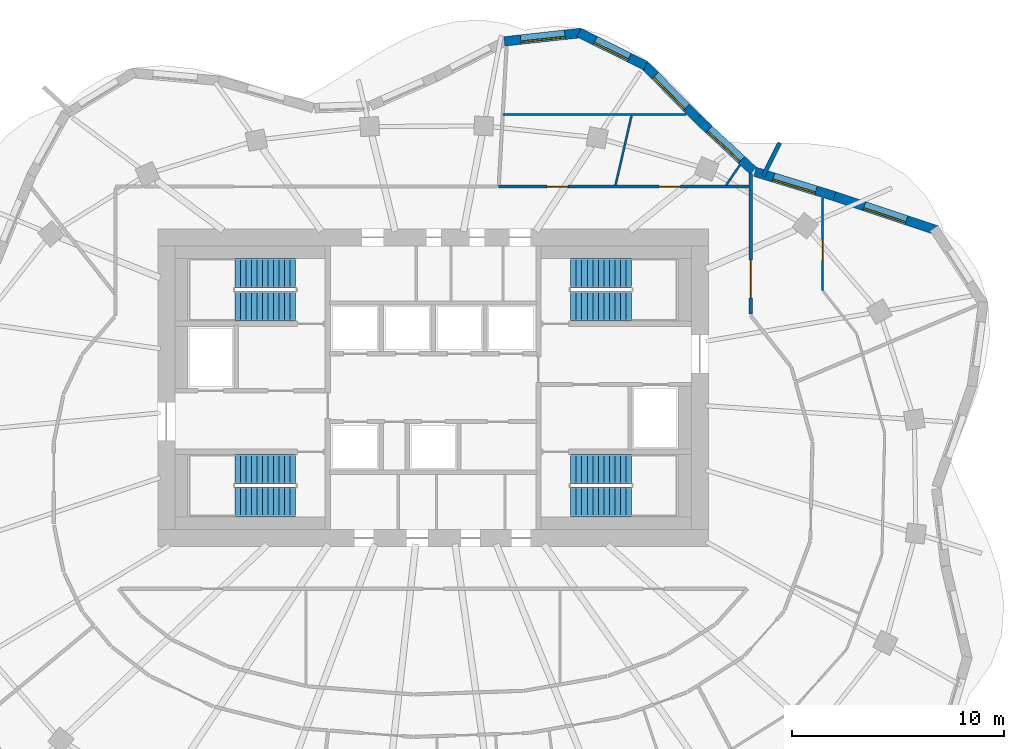
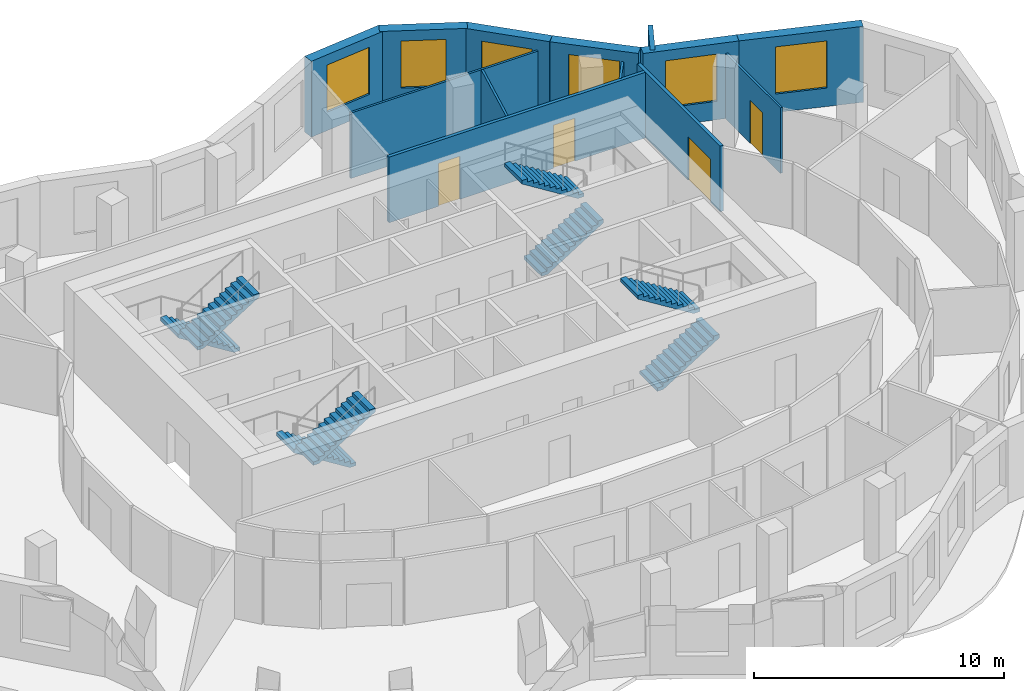
# One storey, part 8 of 9: 13 walls, 8 stair flights, 6 windows, 4 doors, 10 openings, 4 elements without a shape of their own.
"""IFC4 building model written with IfcOpenShell, lengths in metres."""

from ifc_helpers import new_model, si_unit, direction, frame, frame_2d, origin, place, context, subcontext, project, spatial, polyline, rectangle, outline, extrude, material, layer, layer_set, type_object, element, fill, aggregate, save


model = new_model("IFC4")

# Units and contexts
model_context = context("Model", 3, precision=1e-05, world=origin(), true_north=direction((0.0, 1.0)))
body_context = subcontext(model_context, "Body", "Model", "MODEL_VIEW")
ifc_project = project(units=[si_unit("LENGTHUNIT", "METRE"), si_unit("AREAUNIT", "SQUARE_METRE"), si_unit("VOLUMEUNIT", "CUBIC_METRE"), si_unit("PLANEANGLEUNIT", "RADIAN"), si_unit("MASSUNIT", "GRAM", prefix="KILO")], contexts=[model_context])

# Site, building, storey
site_placement = place(None, origin())
site = spatial("IfcSite", under=ifc_project, at=site_placement, CompositionType="ELEMENT")
building_placement = place(site_placement, origin())
building = spatial("IfcBuilding", under=site, at=building_placement, Name="Rubra Terraces Tower", CompositionType="ELEMENT")
storey_placement = place(building_placement, frame((0.0, 0.0, 284.39990234375)))
storey = spatial("IfcBuildingStorey", under=building, at=storey_placement, Name="L70", CompositionType="ELEMENT", Elevation=284.39990234375)

# Wall, opening, window
ifc_material_1 = material(Name="Brick masonry red-brown", Category="masonry")
ifc_layer_1 = layer(ifc_material_1, 0.449951171875)
ifc_layer_set_1 = layer_set([ifc_layer_1], Name="Brick masonry red-brown")
wall_type_1 = type_object("IfcWallType", Name="Brick facade wall 450", PredefinedType="SOLIDWALL", material=ifc_layer_set_1)
wall_1_placement = place(storey_placement, frame((23.769775390625, 11.93798828125, 0.0), z_axis=(0.0, 0.0, 1.0), x_axis=(-0.948673679101, 0.316256621402, 0.0)))
wall_1 = element("IfcWall", 1, at=wall_1_placement, inside=storey, type_object=wall_type_1, Name="Facade wall L70 bay 4", PredefinedType="SOLIDWALL", context=body_context, shape_type="SweptSolid", body=[
    extrude(rectangle(XDim=5.076416015625, YDim=0.449951171875, at=frame_2d((2.5380859375, 0.0))), origin(), (0.0, 0.0, 1.0), 3.7001953125),
])
opening_1_placement = place(wall_1_placement, frame((1.48828125, 0.0, 0.89990234375)))
opening_1 = element("IfcOpeningElement", 2, at=opening_1_placement, cuts=wall_1, Name="Opening W1B", PredefinedType="OPENING", context=body_context, shape_type="SweptSolid", body=[
    extrude(rectangle(XDim=2.10009765625, YDim=2.300048828125, at=frame_2d((1.050048828125, 1.14990234375))), frame((0.0, 0.23486328125, 0.0), z_axis=(0.0, -1.0, 0.0), x_axis=(1.0, 0.0, 0.0)), (0.0, 0.0, 1.0), 0.469970703125),
])
ifc_material_2 = material(Name="Clear glass in aluminium frame", Category="aluminium")
window_type_1 = type_object("IfcWindowType", Name="Fixed deep-set window tall storey 2100 x 2300", PartitioningType="SINGLE_PANEL", PredefinedType="WINDOW", material=ifc_material_2)
window_1_placement = place(opening_1_placement, origin())
window_1 = element("IfcWindow", 3, at=window_1_placement, inside=storey, type_object=window_type_1, Name="Window L70 bay 4", OverallHeight=2.300048828125, OverallWidth=2.10009765625, PartitioningType="SINGLE_PANEL", PredefinedType="WINDOW", context=body_context, shape_type="SweptSolid", body=[
    extrude(rectangle(XDim=2.10009765625, YDim=2.300048828125, at=frame_2d((1.050048828125, 1.14990234375))), frame((0.0, 0.135009765625, 0.0), z_axis=(0.0, -1.0, 0.0), x_axis=(1.0, 0.0, 0.0)), (0.0, 0.0, 1.0), 0.06005859375),
])
fill(opening_1, window_1)

wall_2_placement = place(storey_placement, frame((18.95751953125, 13.542236328125, 0.0), z_axis=(0.0, 0.0, 1.0), x_axis=(-0.955792437529, 0.294042201668, 0.0)))
wall_2 = element("IfcWall", 4, at=wall_2_placement, inside=storey, type_object=wall_type_1, Name="Facade wall L70 bay 5", PredefinedType="SOLIDWALL", context=body_context, shape_type="SweptSolid", body=[
    extrude(rectangle(XDim=3.9306640625, YDim=0.449951171875, at=frame_2d((1.96533203125, 0.0))), origin(), (0.0, 0.0, 1.0), 3.7001953125),
])
opening_2_placement = place(wall_2_placement, frame((0.915283203125, 0.0, 0.89990234375)))
opening_2 = element("IfcOpeningElement", 5, at=opening_2_placement, cuts=wall_2, Name="Opening W1B", PredefinedType="OPENING", context=body_context, shape_type="SweptSolid", body=[
    extrude(rectangle(XDim=2.10009765625, YDim=2.300048828125, at=frame_2d((1.050048828125, 1.14990234375))), frame((0.0, 0.23486328125, 0.0), z_axis=(0.0, -1.0, 0.0), x_axis=(1.0, 0.0, 0.0)), (0.0, 0.0, 1.0), 0.469970703125),
])
window_2_placement = place(opening_2_placement, origin())
window_2 = element("IfcWindow", 6, at=window_2_placement, inside=storey, type_object=window_type_1, Name="Window L70 bay 5", OverallHeight=2.300048828125, OverallWidth=2.10009765625, PartitioningType="SINGLE_PANEL", PredefinedType="WINDOW", context=body_context, shape_type="SweptSolid", body=[
    extrude(rectangle(XDim=2.10009765625, YDim=2.300048828125, at=frame_2d((1.050048828125, 1.14990234375))), frame((0.0, 0.135009765625, 0.0), z_axis=(0.0, -1.0, 0.0), x_axis=(1.0, 0.0, 0.0)), (0.0, 0.0, 1.0), 0.06005859375),
])
fill(opening_2, window_2)

wall_3_placement = place(storey_placement, frame((15.120849609375, 14.744873046875, 0.0), z_axis=(0.0, 0.0, 1.0), x_axis=(-0.730618259172, 0.68278617397, 0.0)))
wall_3 = element("IfcWall", 7, at=wall_3_placement, inside=storey, type_object=wall_type_1, Name="Facade wall L70 bay 6", PredefinedType="SOLIDWALL", context=body_context, shape_type="SweptSolid", body=[
    extrude(rectangle(XDim=3.6240234375, YDim=0.449951171875, at=frame_2d((1.81201171875, 0.0))), origin(), (0.0, 0.0, 1.0), 3.7001953125),
])
opening_3_placement = place(wall_3_placement, frame((0.76220703125, 0.0, 0.89990234375)))
opening_3 = element("IfcOpeningElement", 8, at=opening_3_placement, cuts=wall_3, Name="Opening W1B", PredefinedType="OPENING", context=body_context, shape_type="SweptSolid", body=[
    extrude(rectangle(XDim=2.10009765625, YDim=2.300048828125, at=frame_2d((1.050048828125, 1.14990234375))), frame((0.0, 0.23486328125, 0.0), z_axis=(0.0, -1.0, 0.0), x_axis=(1.0, 0.0, 0.0)), (0.0, 0.0, 1.0), 0.469970703125),
])
window_3_placement = place(opening_3_placement, origin())
window_3 = element("IfcWindow", 9, at=window_3_placement, inside=storey, type_object=window_type_1, Name="Window L70 bay 6", OverallHeight=2.300048828125, OverallWidth=2.10009765625, PartitioningType="SINGLE_PANEL", PredefinedType="WINDOW", context=body_context, shape_type="SweptSolid", body=[
    extrude(rectangle(XDim=2.10009765625, YDim=2.300048828125, at=frame_2d((1.050048828125, 1.14990234375))), frame((0.0, 0.135009765625, 0.0), z_axis=(0.0, -1.0, 0.0), x_axis=(1.0, 0.0, 0.0)), (0.0, 0.0, 1.0), 0.06005859375),
])
fill(opening_3, window_3)

wall_4_placement = place(storey_placement, frame((12.46630859375, 17.2255859375, 0.0), z_axis=(0.0, 0.0, 1.0), x_axis=(-0.701875966769, 0.712299183821, 0.0)))
wall_4 = element("IfcWall", 10, at=wall_4_placement, inside=storey, type_object=wall_type_1, Name="Facade wall L70 bay 7", PredefinedType="SOLIDWALL", context=body_context, shape_type="SweptSolid", body=[
    extrude(rectangle(XDim=3.536865234375, YDim=0.449951171875, at=frame_2d((1.7685546875, 0.0))), origin(), (0.0, 0.0, 1.0), 3.7001953125),
])
opening_4_placement = place(wall_4_placement, frame((0.71826171875, 0.0, 0.89990234375)))
opening_4 = element("IfcOpeningElement", 11, at=opening_4_placement, cuts=wall_4, Name="Opening W1B", PredefinedType="OPENING", context=body_context, shape_type="SweptSolid", body=[
    extrude(rectangle(XDim=2.10009765625, YDim=2.300048828125, at=frame_2d((1.050048828125, 1.14990234375))), frame((0.0, 0.23486328125, 0.0), z_axis=(0.0, -1.0, 0.0), x_axis=(1.0, 0.0, 0.0)), (0.0, 0.0, 1.0), 0.469970703125),
])
window_4_placement = place(opening_4_placement, origin())
window_4 = element("IfcWindow", 12, at=window_4_placement, inside=storey, type_object=window_type_1, Name="Window L70 bay 7", OverallHeight=2.300048828125, OverallWidth=2.10009765625, PartitioningType="SINGLE_PANEL", PredefinedType="WINDOW", context=body_context, shape_type="SweptSolid", body=[
    extrude(rectangle(XDim=2.10009765625, YDim=2.300048828125, at=frame_2d((1.050048828125, 1.14990234375))), frame((0.0, 0.135009765625, 0.0), z_axis=(0.0, -1.0, 0.0), x_axis=(1.0, 0.0, 0.0)), (0.0, 0.0, 1.0), 0.06005859375),
])
fill(opening_4, window_4)

wall_5_placement = place(storey_placement, frame((10.041748046875, 19.70361328125, 0.0), z_axis=(0.0, 0.0, 1.0), x_axis=(-0.895268695224, 0.445526613517, 0.0)))
wall_5 = element("IfcWall", 13, at=wall_5_placement, inside=storey, type_object=wall_type_1, Name="Facade wall L70 bay 8", PredefinedType="SOLIDWALL", context=body_context, shape_type="SweptSolid", body=[
    extrude(rectangle(XDim=3.532958984375, YDim=0.449951171875, at=frame_2d((1.7666015625, 0.0))), origin(), (0.0, 0.0, 1.0), 3.7001953125),
])
opening_5_placement = place(wall_5_placement, frame((0.866455078125, 0.0, 0.89990234375)))
opening_5 = element("IfcOpeningElement", 14, at=opening_5_placement, cuts=wall_5, Name="Opening W6B", PredefinedType="OPENING", context=body_context, shape_type="SweptSolid", body=[
    extrude(rectangle(XDim=1.800048828125, YDim=2.300048828125, at=frame_2d((0.89990234375, 1.14990234375))), frame((0.0, 0.23486328125, 0.0), z_axis=(0.0, -1.0, 0.0), x_axis=(1.0, 0.0, 0.0)), (0.0, 0.0, 1.0), 0.469970703125),
])
window_type_2 = type_object("IfcWindowType", Name="Fixed deep-set window at wind fin tall storey 1800 x 2300", PartitioningType="SINGLE_PANEL", PredefinedType="WINDOW", material=ifc_material_2)
window_5_placement = place(opening_5_placement, origin())
window_5 = element("IfcWindow", 15, at=window_5_placement, inside=storey, type_object=window_type_2, Name="Window L70 bay 8", OverallHeight=2.300048828125, OverallWidth=1.800048828125, PartitioningType="SINGLE_PANEL", PredefinedType="WINDOW", context=body_context, shape_type="SweptSolid", body=[
    extrude(rectangle(XDim=1.800048828125, YDim=2.300048828125, at=frame_2d((0.89990234375, 1.14990234375))), frame((0.0, 0.135009765625, 0.0), z_axis=(0.0, -1.0, 0.0), x_axis=(1.0, 0.0, 0.0)), (0.0, 0.0, 1.0), 0.06005859375),
])
fill(opening_5, window_5)

wall_6_placement = place(storey_placement, frame((7.00341796875, 21.25537109375, 0.0), z_axis=(0.0, 0.0, 1.0), x_axis=(-0.99407653264, -0.108682322638, 0.0)))
wall_6 = element("IfcWall", 16, at=wall_6_placement, inside=storey, type_object=wall_type_1, Name="Facade wall L70 bay 9", PredefinedType="SOLIDWALL", context=body_context, shape_type="SweptSolid", body=[
    extrude(rectangle(XDim=3.66162109375, YDim=0.449951171875, at=frame_2d((1.830810546875, 0.0))), origin(), (0.0, 0.0, 1.0), 3.7001953125),
])
opening_6_placement = place(wall_6_placement, frame((0.78076171875, 0.0, 0.89990234375)))
opening_6 = element("IfcOpeningElement", 17, at=opening_6_placement, cuts=wall_6, Name="Opening W1B", PredefinedType="OPENING", context=body_context, shape_type="SweptSolid", body=[
    extrude(rectangle(XDim=2.10009765625, YDim=2.300048828125, at=frame_2d((1.050048828125, 1.14990234375))), frame((0.0, 0.23486328125, 0.0), z_axis=(0.0, -1.0, 0.0), x_axis=(1.0, 0.0, 0.0)), (0.0, 0.0, 1.0), 0.469970703125),
])
window_6_placement = place(opening_6_placement, origin())
window_6 = element("IfcWindow", 18, at=window_6_placement, inside=storey, type_object=window_type_1, Name="Window L70 bay 9", OverallHeight=2.300048828125, OverallWidth=2.10009765625, PartitioningType="SINGLE_PANEL", PredefinedType="WINDOW", context=body_context, shape_type="SweptSolid", body=[
    extrude(rectangle(XDim=2.10009765625, YDim=2.300048828125, at=frame_2d((1.050048828125, 1.14990234375))), frame((0.0, 0.135009765625, 0.0), z_axis=(0.0, -1.0, 0.0), x_axis=(1.0, 0.0, 0.0)), (0.0, 0.0, 1.0), 0.06005859375),
])
fill(opening_6, window_6)

# Wall
ifc_layer_2 = layer(ifc_material_1, 0.199951171875)
ifc_layer_set_2 = layer_set([ifc_layer_2], Name="Brick masonry red-brown")
wall_type_2 = type_object("IfcWallType", Name="Brick wind fin 200", PredefinedType="SOLIDWALL", material=ifc_layer_set_2)
wall_7_placement = place(storey_placement, frame((15.5869140625, 14.507080078125, 0.0), z_axis=(0.0, 0.0, 1.0), x_axis=(0.452117231361, 0.89195852432, 0.0)))
element("IfcWall", 19, at=wall_7_placement, inside=storey, type_object=wall_type_2, Name="Wind fin L70 3", PredefinedType="SOLIDWALL", context=body_context, shape_type="SweptSolid", body=[
    extrude(rectangle(XDim=1.75, YDim=0.199951171875, at=frame_2d((0.875, 0.0))), origin(), (0.0, 0.0, 1.0), 3.7001953125),
])

# Wall, opening, door
ifc_material_3 = material(Name="Plasterboard on steel stud, mineral wool infill", Category="steel")
ifc_layer_3 = layer(ifc_material_3, 0.14990234375)
ifc_layer_set_3 = layer_set([ifc_layer_3], Name="Plasterboard on steel stud, mineral wool infill")
wall_type_3 = type_object("IfcWallType", Name="CORRIDOR PARTITION 150", PredefinedType="PARTITIONING", material=ifc_layer_set_3)
wall_8_placement = place(storey_placement, frame((15.0, 7.979248046875, 0.0), z_axis=(0.0, 0.0, 1.0), x_axis=(0.0, 1.0, 0.0)))
wall_8 = element("IfcWall", 20, at=wall_8_placement, inside=storey, type_object=wall_type_3, Name="PARTITION", PredefinedType="PARTITIONING", context=body_context, shape_type="SweptSolid", body=[
    extrude(rectangle(XDim=6.626220703125, YDim=0.14990234375, at=frame_2d((3.31298828125, 0.0))), origin(), (0.0, 0.0, 1.0), 3.197998046875),
])
opening_7_placement = place(wall_8_placement, frame((0.759033203125, 0.0, 0.0)))
opening_7 = element("IfcOpeningElement", 21, at=opening_7_placement, cuts=wall_8, Name="Opening 70-111", PredefinedType="OPENING", context=body_context, shape_type="SweptSolid", body=[
    extrude(rectangle(XDim=1.800048828125, YDim=2.10009765625, at=frame_2d((0.89990234375, 1.050048828125))), frame((0.0, 0.0849609375, 0.0), z_axis=(0.0, -1.0, 0.0), x_axis=(1.0, 0.0, 0.0)), (0.0, 0.0, 1.0), 0.169921875),
])
ifc_material_4 = material(Name="Painted timber door leaf, double", Category="wood")
door_type_1 = type_object("IfcDoorType", Name="ROOM DOUBLE DOOR 1800 X 2100", OperationType="DOUBLE_DOOR_SINGLE_SWING", PredefinedType="DOOR", material=ifc_material_4)
door_1_placement = place(opening_7_placement, origin())
door_1 = element("IfcDoor", 22, at=door_1_placement, inside=storey, type_object=door_type_1, Name="DOOR 70-111", OperationType="DOUBLE_DOOR_SINGLE_SWING", OverallHeight=2.10009765625, OverallWidth=1.800048828125, PredefinedType="DOOR", context=body_context, shape_type="SweptSolid", body=[
    extrude(rectangle(XDim=1.800048828125, YDim=2.10009765625, at=frame_2d((0.89990234375, 1.050048828125))), frame((0.0, 0.02490234375, 0.0), z_axis=(0.0, -1.0, 0.0), x_axis=(1.0, 0.0, 0.0)), (0.0, 0.0, 1.0), 0.050048828125),
])
fill(opening_7, door_1)

# Wall, openings, doors
wall_9_placement = place(storey_placement, frame((14.925048828125, 14.0, 0.0), z_axis=(0.0, 0.0, 1.0), x_axis=(-1.0, 0.0, 0.0)))
wall_9 = element("IfcWall", 23, at=wall_9_placement, inside=storey, type_object=wall_type_3, Name="PARTITION", PredefinedType="PARTITIONING", context=body_context, shape_type="SweptSolid", body=[
    extrude(rectangle(XDim=11.8271484375, YDim=0.14990234375, at=frame_2d((5.91357421875, 0.0))), origin(), (0.0, 0.0, 1.0), 3.197998046875),
])
opening_8_placement = place(wall_9_placement, frame((3.25, 0.0, 0.0)))
opening_8 = element("IfcOpeningElement", 24, at=opening_8_placement, cuts=wall_9, Name="Opening 70-120", PredefinedType="OPENING", context=body_context, shape_type="SweptSolid", body=[
    extrude(rectangle(XDim=1.0, YDim=2.10009765625, at=frame_2d((0.5, 1.050048828125))), frame((0.0, 0.0849609375, 0.0), z_axis=(0.0, -1.0, 0.0), x_axis=(1.0, 0.0, 0.0)), (0.0, 0.0, 1.0), 0.169921875),
])
opening_9_placement = place(wall_9_placement, frame((8.550048828125, 0.0, 0.0)))
opening_9 = element("IfcOpeningElement", 25, at=opening_9_placement, cuts=wall_9, Name="Opening 70-121", PredefinedType="OPENING", context=body_context, shape_type="SweptSolid", body=[
    extrude(rectangle(XDim=1.0, YDim=2.10009765625, at=frame_2d((0.5, 1.050048828125))), frame((0.0, 0.0849609375, 0.0), z_axis=(0.0, -1.0, 0.0), x_axis=(1.0, 0.0, 0.0)), (0.0, 0.0, 1.0), 0.169921875),
])
ifc_material_5 = material(Name="Painted timber door leaf", Category="wood")
door_type_2 = type_object("IfcDoorType", Name="ROOM DOOR 1000 X 2100", OperationType="SINGLE_SWING_LEFT", PredefinedType="DOOR", material=ifc_material_5)
door_2_placement = place(opening_8_placement, origin())
door_2 = element("IfcDoor", 26, at=door_2_placement, inside=storey, type_object=door_type_2, Name="DOOR 70-120", OperationType="SINGLE_SWING_RIGHT", OverallHeight=2.10009765625, OverallWidth=1.0, PredefinedType="DOOR", context=body_context, shape_type="SweptSolid", body=[
    extrude(rectangle(XDim=1.0, YDim=2.10009765625, at=frame_2d((0.5, 1.050048828125))), frame((0.0, 0.02490234375, 0.0), z_axis=(0.0, -1.0, 0.0), x_axis=(1.0, 0.0, 0.0)), (0.0, 0.0, 1.0), 0.050048828125),
])
fill(opening_8, door_2)
door_3_placement = place(opening_9_placement, origin())
door_3 = element("IfcDoor", 27, at=door_3_placement, inside=storey, type_object=door_type_2, Name="DOOR 70-121", OperationType="SINGLE_SWING_RIGHT", OverallHeight=2.10009765625, OverallWidth=1.0, PredefinedType="DOOR", context=body_context, shape_type="SweptSolid", body=[
    extrude(rectangle(XDim=1.0, YDim=2.10009765625, at=frame_2d((0.5, 1.050048828125))), frame((0.0, 0.02490234375, 0.0), z_axis=(0.0, -1.0, 0.0), x_axis=(1.0, 0.0, 0.0)), (0.0, 0.0, 1.0), 0.050048828125),
])
fill(opening_9, door_3)

# Wall
ifc_material_6 = material(Name="Plasterboard on steel stud", Category="steel")
ifc_layer_4 = layer(ifc_material_6, 0.10009765625)
ifc_layer_set_4 = layer_set([ifc_layer_4], Name="Plasterboard on steel stud")
wall_type_4 = type_object("IfcWallType", Name="ROOM PARTITION 100", PredefinedType="PARTITIONING", material=ifc_layer_set_4)
wall_10_placement = place(storey_placement, frame((3.30859375, 17.39990234375, 0.0), z_axis=(0.0, 0.0, 1.0), x_axis=(1.0, 0.0, 0.0)))
element("IfcWall", 28, at=wall_10_placement, inside=storey, type_object=wall_type_4, Name="PARTITION", PredefinedType="PARTITIONING", context=body_context, shape_type="SweptSolid", body=[
    extrude(rectangle(XDim=8.64208984375, YDim=0.10009765625, at=frame_2d((4.321044921875, 0.0))), origin(), (0.0, 0.0, 1.0), 3.197998046875),
])

# Wall, opening, door
wall_11_placement = place(storey_placement, frame((18.39990234375, 13.45751953125, 0.0), z_axis=(0.0, 0.0, 1.0), x_axis=(0.0, -1.0, 0.0)))
wall_11 = element("IfcWall", 29, at=wall_11_placement, inside=storey, type_object=wall_type_4, Name="PARTITION", PredefinedType="PARTITIONING", context=body_context, shape_type="SweptSolid", body=[
    extrude(rectangle(XDim=4.371826171875, YDim=0.10009765625, at=frame_2d((2.18603515625, 0.0))), origin(), (0.0, 0.0, 1.0), 3.197998046875),
])
opening_10_placement = place(wall_11_placement, frame((1.949951171875, 0.0, 0.0)))
opening_10 = element("IfcOpeningElement", 30, at=opening_10_placement, cuts=wall_11, Name="Opening 70-119", PredefinedType="OPENING", context=body_context, shape_type="SweptSolid", body=[
    extrude(rectangle(XDim=1.0, YDim=2.10009765625, at=frame_2d((0.5, 1.050048828125))), frame((0.0, 0.06005859375, 0.0), z_axis=(0.0, -1.0, 0.0), x_axis=(1.0, 0.0, 0.0)), (0.0, 0.0, 1.0), 0.1201171875),
])
door_4_placement = place(opening_10_placement, origin())
door_4 = element("IfcDoor", 31, at=door_4_placement, inside=storey, type_object=door_type_2, Name="DOOR 70-119", OperationType="SINGLE_SWING_LEFT", OverallHeight=2.10009765625, OverallWidth=1.0, PredefinedType="DOOR", context=body_context, shape_type="SweptSolid", body=[
    extrude(rectangle(XDim=1.0, YDim=2.10009765625, at=frame_2d((0.5, 1.050048828125))), frame((0.0, 0.02490234375, 0.0), z_axis=(0.0, -1.0, 0.0), x_axis=(1.0, 0.0, 0.0)), (0.0, 0.0, 1.0), 0.050048828125),
])
fill(opening_10, door_4)

# Walls
wall_12_placement = place(storey_placement, frame((13.836669921875, 14.06201171875, 0.0), z_axis=(0.0, 0.0, 1.0), x_axis=(0.565495744886, 0.824751212497, 0.0)))
element("IfcWall", 32, at=wall_12_placement, inside=storey, type_object=wall_type_4, Name="PARTITION", PredefinedType="PARTITIONING", context=body_context, shape_type="SweptSolid", body=[
    extrude(rectangle(XDim=1.163818359375, YDim=0.10009765625, at=frame_2d((0.58203125, 0.0))), origin(), (0.0, 0.0, 1.0), 3.197998046875),
])
wall_13_placement = place(storey_placement, frame((8.618408203125, 14.072998046875, 0.0), z_axis=(0.0, 0.0, 1.0), x_axis=(0.224048430302, 0.974578011695, 0.0)))
element("IfcWall", 33, at=wall_13_placement, inside=storey, type_object=wall_type_4, Name="PARTITION", PredefinedType="PARTITIONING", context=body_context, shape_type="SweptSolid", body=[
    extrude(rectangle(XDim=3.36376953125, YDim=0.10009765625, at=frame_2d((1.681884765625, 0.0))), origin(), (0.0, 0.0, 1.0), 3.197998046875),
])

# Stair, stair flights
ifc_material_7 = material(Name="Concrete C40", Category="concrete")
stair_type = type_object("IfcStairType", Name="Core stair 1400", PredefinedType="HALF_TURN_STAIR", material=ifc_material_7)
stair_1_placement = place(storey_placement, origin())
stair_1 = element("IfcStair", 34, at=stair_1_placement, inside=storey, type_object=stair_type, Name="L70 Exit stair S1", PredefinedType="HALF_TURN_STAIR")
stair_flight_type = type_object("IfcStairFlightType", Name="Core stair flight 1400", PredefinedType="STRAIGHT", material=ifc_material_7)
stair_flight_1_placement = place(storey_placement, frame((-6.5, 0.64990234375, 0.0), z_axis=(0.0, 0.0, 1.0), x_axis=(-1.0, 0.0, 0.0)))
stair_flight_1 = element("IfcStairFlight", 35, at=stair_flight_1_placement, type_object=stair_flight_type, Name="S1 flight 1", NumberOfRisers=12, NumberOfTreads=11, PredefinedType="STRAIGHT", RiserHeight=0.1625, TreadLength=0.26, context=body_context, shape_type="SweptSolid", body=[
    extrude(outline(polyline([(0.0, 0.0), (0.0, 0.16259765625), (0.260009765625, 0.16259765625), (0.260009765625, 0.324951171875), (0.52001953125, 0.324951171875), (0.52001953125, 0.487548828125), (0.780029296875, 0.487548828125), (0.780029296875, 0.64990234375), (1.0400390625, 0.64990234375), (1.0400390625, 0.8125), (1.300048828125, 0.8125), (1.300048828125, 0.97509765625), (1.56005859375, 0.97509765625), (1.56005859375, 1.137451171875), (1.820068359375, 1.137451171875), (1.820068359375, 1.300048828125), (2.080078125, 1.300048828125), (2.080078125, 1.46240234375), (2.340087890625, 1.46240234375), (2.340087890625, 1.625), (2.60009765625, 1.625), (2.60009765625, 1.78759765625), (2.860107421875, 1.78759765625), (2.860107421875, 1.949951171875), (2.860107421875, 1.61083984375), (0.28271484375, 0.0), (0.0, 0.0)])), frame((0.0, 0.699951171875, 0.0), z_axis=(0.0, -1.0, 0.0), x_axis=(1.0, 0.0, 0.0)), (0.0, 0.0, 1.0), 1.39990234375),
])
stair_flight_2_placement = place(storey_placement, frame((-9.360107421875, -0.89990234375, 1.9501953125), z_axis=(0.0, 0.0, 1.0), x_axis=(1.0, 0.0, 0.0)))
stair_flight_2 = element("IfcStairFlight", 36, at=stair_flight_2_placement, type_object=stair_flight_type, Name="S1 flight 2", NumberOfRisers=12, NumberOfTreads=11, PredefinedType="STRAIGHT", RiserHeight=0.1625, TreadLength=0.26, context=body_context, shape_type="SweptSolid", body=[
    extrude(outline(polyline([(0.0, 0.0), (0.0, 0.16259765625), (0.260009765625, 0.16259765625), (0.260009765625, 0.324951171875), (0.52001953125, 0.324951171875), (0.52001953125, 0.487548828125), (0.780029296875, 0.487548828125), (0.780029296875, 0.64990234375), (1.0400390625, 0.64990234375), (1.0400390625, 0.8125), (1.300048828125, 0.8125), (1.300048828125, 0.97509765625), (1.56005859375, 0.97509765625), (1.56005859375, 1.137451171875), (1.820068359375, 1.137451171875), (1.820068359375, 1.300048828125), (2.080078125, 1.300048828125), (2.080078125, 1.46240234375), (2.340087890625, 1.46240234375), (2.340087890625, 1.625), (2.60009765625, 1.625), (2.60009765625, 1.78759765625), (2.860107421875, 1.78759765625), (2.860107421875, 1.949951171875), (2.860107421875, 1.61083984375), (0.28271484375, 0.0), (0.0, 0.0)])), frame((0.0, 0.699951171875, 0.0), z_axis=(0.0, -1.0, 0.0), x_axis=(1.0, 0.0, 0.0)), (0.0, 0.0, 1.0), 1.39990234375),
])
aggregate(stair_1, [stair_flight_1, stair_flight_2])

stair_2_placement = place(storey_placement, origin())
stair_2 = element("IfcStair", 37, at=stair_2_placement, inside=storey, type_object=stair_type, Name="L70 Exit stair S2", PredefinedType="HALF_TURN_STAIR")
stair_flight_3_placement = place(storey_placement, frame((-6.5, 9.89990234375, 0.0), z_axis=(0.0, 0.0, 1.0), x_axis=(-1.0, 0.0, 0.0)))
stair_flight_3 = element("IfcStairFlight", 38, at=stair_flight_3_placement, type_object=stair_flight_type, Name="S2 flight 1", NumberOfRisers=12, NumberOfTreads=11, PredefinedType="STRAIGHT", RiserHeight=0.1625, TreadLength=0.26, context=body_context, shape_type="SweptSolid", body=[
    extrude(outline(polyline([(0.0, 0.0), (0.0, 0.16259765625), (0.260009765625, 0.16259765625), (0.260009765625, 0.324951171875), (0.52001953125, 0.324951171875), (0.52001953125, 0.487548828125), (0.780029296875, 0.487548828125), (0.780029296875, 0.64990234375), (1.0400390625, 0.64990234375), (1.0400390625, 0.8125), (1.300048828125, 0.8125), (1.300048828125, 0.97509765625), (1.56005859375, 0.97509765625), (1.56005859375, 1.137451171875), (1.820068359375, 1.137451171875), (1.820068359375, 1.300048828125), (2.080078125, 1.300048828125), (2.080078125, 1.46240234375), (2.340087890625, 1.46240234375), (2.340087890625, 1.625), (2.60009765625, 1.625), (2.60009765625, 1.78759765625), (2.860107421875, 1.78759765625), (2.860107421875, 1.949951171875), (2.860107421875, 1.61083984375), (0.28271484375, 0.0), (0.0, 0.0)])), frame((0.0, 0.699951171875, 0.0), z_axis=(0.0, -1.0, 0.0), x_axis=(1.0, 0.0, 0.0)), (0.0, 0.0, 1.0), 1.39990234375),
])
stair_flight_4_placement = place(storey_placement, frame((-9.360107421875, 8.35009765625, 1.9501953125), z_axis=(0.0, 0.0, 1.0), x_axis=(1.0, 0.0, 0.0)))
stair_flight_4 = element("IfcStairFlight", 39, at=stair_flight_4_placement, type_object=stair_flight_type, Name="S2 flight 2", NumberOfRisers=12, NumberOfTreads=11, PredefinedType="STRAIGHT", RiserHeight=0.1625, TreadLength=0.26, context=body_context, shape_type="SweptSolid", body=[
    extrude(outline(polyline([(0.0, 0.0), (0.0, 0.16259765625), (0.260009765625, 0.16259765625), (0.260009765625, 0.324951171875), (0.52001953125, 0.324951171875), (0.52001953125, 0.487548828125), (0.780029296875, 0.487548828125), (0.780029296875, 0.64990234375), (1.0400390625, 0.64990234375), (1.0400390625, 0.8125), (1.300048828125, 0.8125), (1.300048828125, 0.97509765625), (1.56005859375, 0.97509765625), (1.56005859375, 1.137451171875), (1.820068359375, 1.137451171875), (1.820068359375, 1.300048828125), (2.080078125, 1.300048828125), (2.080078125, 1.46240234375), (2.340087890625, 1.46240234375), (2.340087890625, 1.625), (2.60009765625, 1.625), (2.60009765625, 1.78759765625), (2.860107421875, 1.78759765625), (2.860107421875, 1.949951171875), (2.860107421875, 1.61083984375), (0.28271484375, 0.0), (0.0, 0.0)])), frame((0.0, 0.699951171875, 0.0), z_axis=(0.0, -1.0, 0.0), x_axis=(1.0, 0.0, 0.0)), (0.0, 0.0, 1.0), 1.39990234375),
])
aggregate(stair_2, [stair_flight_3, stair_flight_4])

stair_3_placement = place(storey_placement, origin())
stair_3 = element("IfcStair", 40, at=stair_3_placement, inside=storey, type_object=stair_type, Name="L70 Exit stair S3", PredefinedType="HALF_TURN_STAIR")
stair_flight_5_placement = place(storey_placement, frame((6.5, 8.35009765625, 0.0), z_axis=(0.0, 0.0, 1.0), x_axis=(1.0, 0.0, 0.0)))
stair_flight_5 = element("IfcStairFlight", 41, at=stair_flight_5_placement, type_object=stair_flight_type, Name="S3 flight 1", NumberOfRisers=12, NumberOfTreads=11, PredefinedType="STRAIGHT", RiserHeight=0.1625, TreadLength=0.26, context=body_context, shape_type="SweptSolid", body=[
    extrude(outline(polyline([(0.0, 0.0), (0.0, 0.16259765625), (0.260009765625, 0.16259765625), (0.260009765625, 0.324951171875), (0.52001953125, 0.324951171875), (0.52001953125, 0.487548828125), (0.780029296875, 0.487548828125), (0.780029296875, 0.64990234375), (1.0400390625, 0.64990234375), (1.0400390625, 0.8125), (1.300048828125, 0.8125), (1.300048828125, 0.97509765625), (1.56005859375, 0.97509765625), (1.56005859375, 1.137451171875), (1.820068359375, 1.137451171875), (1.820068359375, 1.300048828125), (2.080078125, 1.300048828125), (2.080078125, 1.46240234375), (2.340087890625, 1.46240234375), (2.340087890625, 1.625), (2.60009765625, 1.625), (2.60009765625, 1.78759765625), (2.860107421875, 1.78759765625), (2.860107421875, 1.949951171875), (2.860107421875, 1.61083984375), (0.28271484375, 0.0), (0.0, 0.0)])), frame((0.0, 0.699951171875, 0.0), z_axis=(0.0, -1.0, 0.0), x_axis=(1.0, 0.0, 0.0)), (0.0, 0.0, 1.0), 1.39990234375),
])
stair_flight_6_placement = place(storey_placement, frame((9.360107421875, 9.89990234375, 1.9501953125), z_axis=(0.0, 0.0, 1.0), x_axis=(-1.0, 0.0, 0.0)))
stair_flight_6 = element("IfcStairFlight", 42, at=stair_flight_6_placement, type_object=stair_flight_type, Name="S3 flight 2", NumberOfRisers=12, NumberOfTreads=11, PredefinedType="STRAIGHT", RiserHeight=0.1625, TreadLength=0.26, context=body_context, shape_type="SweptSolid", body=[
    extrude(outline(polyline([(0.0, 0.0), (0.0, 0.16259765625), (0.260009765625, 0.16259765625), (0.260009765625, 0.324951171875), (0.52001953125, 0.324951171875), (0.52001953125, 0.487548828125), (0.780029296875, 0.487548828125), (0.780029296875, 0.64990234375), (1.0400390625, 0.64990234375), (1.0400390625, 0.8125), (1.300048828125, 0.8125), (1.300048828125, 0.97509765625), (1.56005859375, 0.97509765625), (1.56005859375, 1.137451171875), (1.820068359375, 1.137451171875), (1.820068359375, 1.300048828125), (2.080078125, 1.300048828125), (2.080078125, 1.46240234375), (2.340087890625, 1.46240234375), (2.340087890625, 1.625), (2.60009765625, 1.625), (2.60009765625, 1.78759765625), (2.860107421875, 1.78759765625), (2.860107421875, 1.949951171875), (2.860107421875, 1.61083984375), (0.28271484375, 0.0), (0.0, 0.0)])), frame((0.0, 0.699951171875, 0.0), z_axis=(0.0, -1.0, 0.0), x_axis=(1.0, 0.0, 0.0)), (0.0, 0.0, 1.0), 1.39990234375),
])
aggregate(stair_3, [stair_flight_5, stair_flight_6])

stair_4_placement = place(storey_placement, origin())
stair_4 = element("IfcStair", 43, at=stair_4_placement, inside=storey, type_object=stair_type, Name="L70 Exit stair S4", PredefinedType="HALF_TURN_STAIR")
stair_flight_7_placement = place(storey_placement, frame((6.5, -0.89990234375, 0.0), z_axis=(0.0, 0.0, 1.0), x_axis=(1.0, 0.0, 0.0)))
stair_flight_7 = element("IfcStairFlight", 44, at=stair_flight_7_placement, type_object=stair_flight_type, Name="S4 flight 1", NumberOfRisers=12, NumberOfTreads=11, PredefinedType="STRAIGHT", RiserHeight=0.1625, TreadLength=0.26, context=body_context, shape_type="SweptSolid", body=[
    extrude(outline(polyline([(0.0, 0.0), (0.0, 0.16259765625), (0.260009765625, 0.16259765625), (0.260009765625, 0.324951171875), (0.52001953125, 0.324951171875), (0.52001953125, 0.487548828125), (0.780029296875, 0.487548828125), (0.780029296875, 0.64990234375), (1.0400390625, 0.64990234375), (1.0400390625, 0.8125), (1.300048828125, 0.8125), (1.300048828125, 0.97509765625), (1.56005859375, 0.97509765625), (1.56005859375, 1.137451171875), (1.820068359375, 1.137451171875), (1.820068359375, 1.300048828125), (2.080078125, 1.300048828125), (2.080078125, 1.46240234375), (2.340087890625, 1.46240234375), (2.340087890625, 1.625), (2.60009765625, 1.625), (2.60009765625, 1.78759765625), (2.860107421875, 1.78759765625), (2.860107421875, 1.949951171875), (2.860107421875, 1.61083984375), (0.28271484375, 0.0), (0.0, 0.0)])), frame((0.0, 0.699951171875, 0.0), z_axis=(0.0, -1.0, 0.0), x_axis=(1.0, 0.0, 0.0)), (0.0, 0.0, 1.0), 1.39990234375),
])
stair_flight_8_placement = place(storey_placement, frame((9.360107421875, 0.64990234375, 1.9501953125), z_axis=(0.0, 0.0, 1.0), x_axis=(-1.0, 0.0, 0.0)))
stair_flight_8 = element("IfcStairFlight", 45, at=stair_flight_8_placement, type_object=stair_flight_type, Name="S4 flight 2", NumberOfRisers=12, NumberOfTreads=11, PredefinedType="STRAIGHT", RiserHeight=0.1625, TreadLength=0.26, context=body_context, shape_type="SweptSolid", body=[
    extrude(outline(polyline([(0.0, 0.0), (0.0, 0.16259765625), (0.260009765625, 0.16259765625), (0.260009765625, 0.324951171875), (0.52001953125, 0.324951171875), (0.52001953125, 0.487548828125), (0.780029296875, 0.487548828125), (0.780029296875, 0.64990234375), (1.0400390625, 0.64990234375), (1.0400390625, 0.8125), (1.300048828125, 0.8125), (1.300048828125, 0.97509765625), (1.56005859375, 0.97509765625), (1.56005859375, 1.137451171875), (1.820068359375, 1.137451171875), (1.820068359375, 1.300048828125), (2.080078125, 1.300048828125), (2.080078125, 1.46240234375), (2.340087890625, 1.46240234375), (2.340087890625, 1.625), (2.60009765625, 1.625), (2.60009765625, 1.78759765625), (2.860107421875, 1.78759765625), (2.860107421875, 1.949951171875), (2.860107421875, 1.61083984375), (0.28271484375, 0.0), (0.0, 0.0)])), frame((0.0, 0.699951171875, 0.0), z_axis=(0.0, -1.0, 0.0), x_axis=(1.0, 0.0, 0.0)), (0.0, 0.0, 1.0), 1.39990234375),
])
aggregate(stair_4, [stair_flight_7, stair_flight_8])

save(model, "model.ifc")
